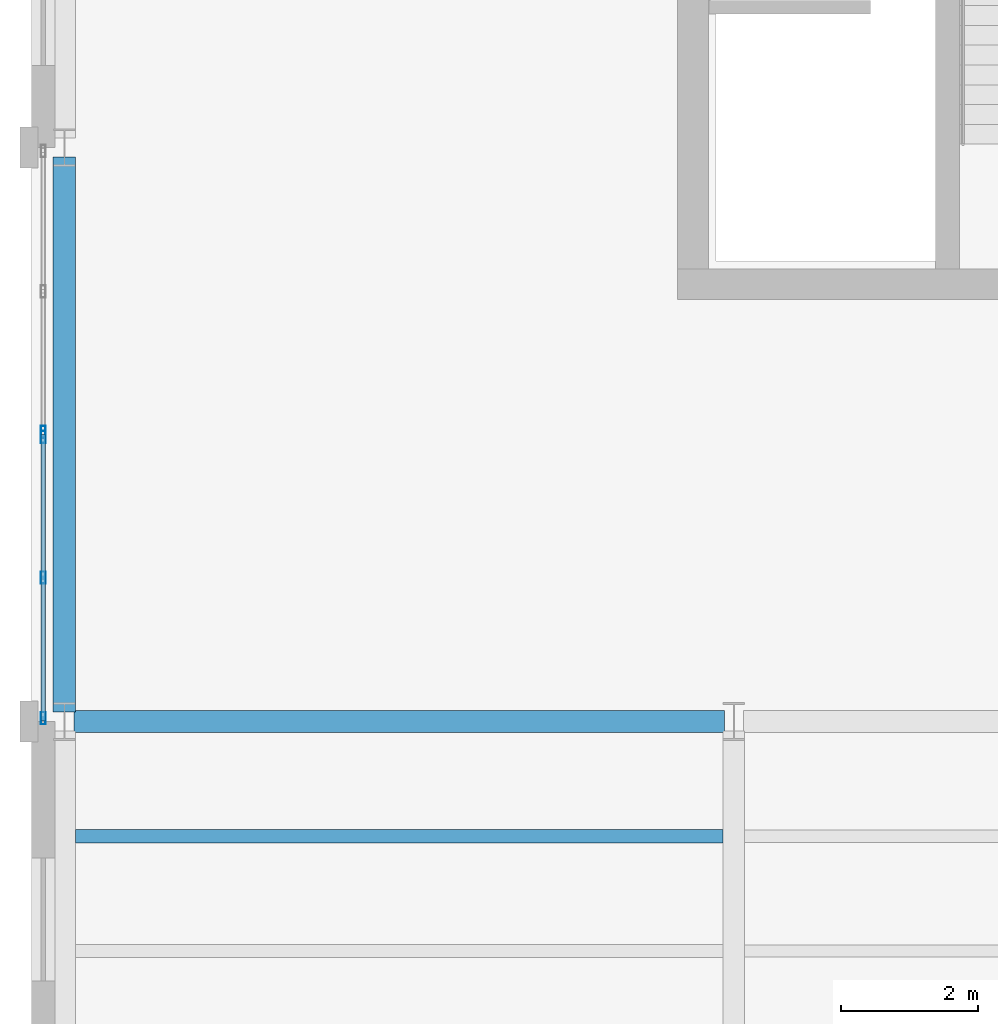
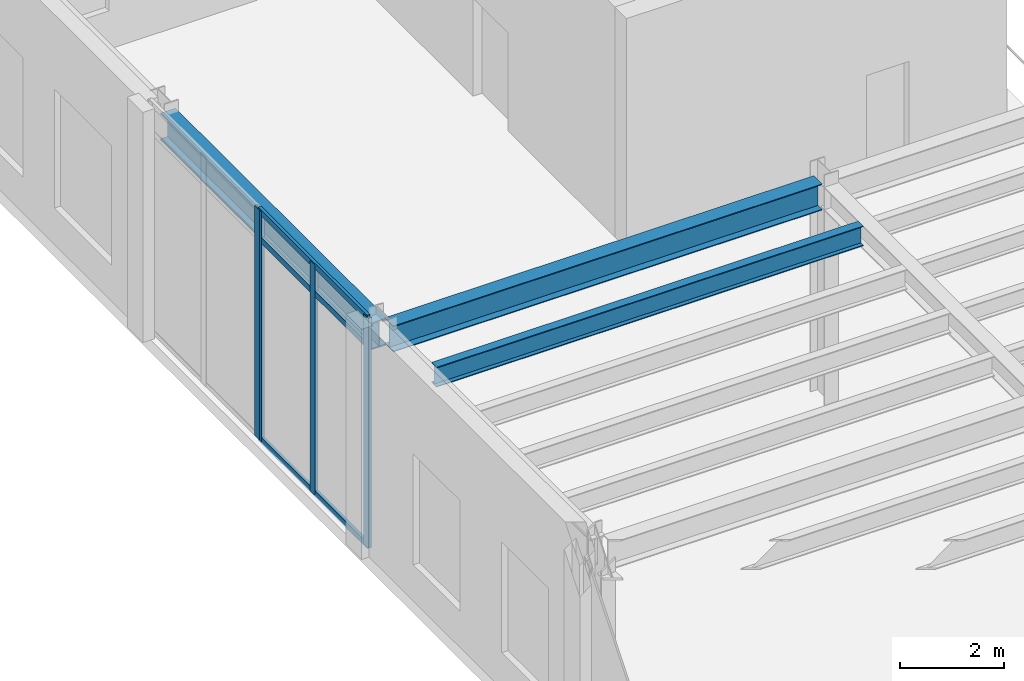
# One storey, part 22 of 98: 7 members, 3 beams, 2 elements without a shape of their own.
"""IFC4 building model written with IfcOpenShell, lengths in metres."""

from ifc_helpers import new_model, si_unit, direction, frame, origin, origin_2d, place, context, subcontext, project, spatial, hollow_rectangle, i_section, extrude, material, layer, layer_set, material_profile, profile_set, type_object, element, aggregate, save


model = new_model("IFC4")

# Units and contexts
model_context = context("Model", 3, precision=1e-05, world=origin(), true_north=direction((0.0, 1.0)))
body_context = subcontext(model_context, "Body", "Model", "MODEL_VIEW")
ifc_project = project(units=[si_unit("LENGTHUNIT", "METRE"), si_unit("AREAUNIT", "SQUARE_METRE"), si_unit("VOLUMEUNIT", "CUBIC_METRE"), si_unit("PLANEANGLEUNIT", "RADIAN"), si_unit("MASSUNIT", "GRAM", prefix="KILO")], contexts=[model_context])

# Site, building, storey
site_placement = place(None, origin())
site = spatial("IfcSite", under=ifc_project, at=site_placement, CompositionType="ELEMENT")
building_placement = place(site_placement, origin())
building = spatial("IfcBuilding", under=site, at=building_placement, Name="Sollismere Congress Hotel", CompositionType="ELEMENT")
storey_placement = place(building_placement, frame((0.0, 0.0, 5.39990234375)))
storey = spatial("IfcBuildingStorey", under=building, at=storey_placement, Name="L01", CompositionType="ELEMENT", Elevation=5.39990234375)

# Beams
ifc_material_1 = material(Name="Steel ASTM A992 Grade 50", Category="steel")
ifc_material_profile_1 = material_profile(ifc_material_1, i_section(OverallWidth=0.324951171875, OverallDepth=0.612060546875, WebThickness=0.0126953125, FlangeThickness=0.01904296875, at=origin_2d()), Name="W24X104")
ifc_profile_set_1 = profile_set([ifc_material_profile_1], Name="Steel ASTM A992 Grade 50")
beam_type_1 = type_object("IfcBeamType", Name="BM-G24", PredefinedType="BEAM", material=ifc_profile_set_1)
beam_1_placement = place(storey_placement, frame((0.139892578125, 50.0, 4.814208984375), z_axis=(1.0, 0.0, 0.0), x_axis=(0.0, 1.0, 0.0)))
element("IfcBeam", 1, at=beam_1_placement, inside=storey, type_object=beam_type_1, Name="Beam BM-L01-1576", PredefinedType="BEAM", context=body_context, shape_type="SweptSolid", body=[
    extrude(i_section(OverallWidth=0.324951171875, OverallDepth=0.612060546875, WebThickness=0.0126953125, FlangeThickness=0.01904296875, at=origin_2d()), origin(), (0.0, 0.0, 1.0), 9.52001953125),
])
ifc_material_profile_2 = material_profile(ifc_material_1, i_section(OverallWidth=0.193115234375, OverallDepth=0.467041015625, WebThickness=0.011474609375, FlangeThickness=0.01904296875, at=origin_2d()), Name="W18X65")
ifc_profile_set_2 = profile_set([ifc_material_profile_2], Name="Steel ASTM A992 Grade 50")
beam_type_2 = type_object("IfcBeamType", Name="BM-J18", PredefinedType="JOIST", material=ifc_profile_set_2)
beam_2_placement = place(storey_placement, frame((0.1650390625, 48.320068359375, 4.88671875), z_axis=(1.0, 0.0, 0.0), x_axis=(0.0, 1.0, 0.0)))
element("IfcBeam", 2, at=beam_2_placement, inside=storey, type_object=beam_type_2, Name="Beam BM-L01-1734", PredefinedType="JOIST", context=body_context, shape_type="SweptSolid", body=[
    extrude(i_section(OverallWidth=0.193115234375, OverallDepth=0.467041015625, WebThickness=0.011474609375, FlangeThickness=0.01904296875, at=origin_2d()), origin(), (0.0, 0.0, 1.0), 9.4775390625),
])
ifc_material_profile_3 = material_profile(ifc_material_1, i_section(OverallWidth=0.330078125, OverallDepth=0.635009765625, WebThickness=0.017822265625, FlangeThickness=0.031005859375, at=origin_2d()), Name="W24X162")
ifc_profile_set_3 = profile_set([ifc_material_profile_3], Name="Steel ASTM A992 Grade 50")
beam_type_3 = type_object("IfcBeamType", Name="BM-SP24E", PredefinedType="SPANDREL", material=ifc_profile_set_3)
beam_3_placement = place(storey_placement, frame((0.0, 50.139892578125, 4.802490234375), z_axis=(0.0, 1.0, 0.0), x_axis=(-1.0, 0.0, 0.0)))
element("IfcBeam", 3, at=beam_3_placement, inside=storey, type_object=beam_type_3, Name="Beam BM-L01-1626", PredefinedType="SPANDREL", context=body_context, shape_type="SweptSolid", body=[
    extrude(i_section(OverallWidth=0.330078125, OverallDepth=0.635009765625, WebThickness=0.017822265625, FlangeThickness=0.031005859375, at=origin_2d()), origin(), (0.0, 0.0, 1.0), 8.1201171875),
])

# Curtain wall, members
ifc_material_2 = material(Name="Anodized Bronze Curtain Wall & Low-E Triple Glazing", Category="glass")
ifc_layer = layer(ifc_material_2, 0.199951171875, Name="Anodized Bronze Curtain Wall & Low-E Triple Glazing")
ifc_layer_set = layer_set([ifc_layer], Name="Anodized Bronze Curtain Wall & Low-E Triple Glazing")
curtain_wall_type = type_object("IfcCurtainWallType", Name="CW-GLZ36", PredefinedType="USERDEFINED", material=ifc_layer_set)
curtain_wall_1_placement = place(storey_placement, origin())
curtain_wall_1 = element("IfcCurtainWall", 4, at=curtain_wall_1_placement, inside=storey, type_object=curtain_wall_type, Name="Unitised curtain wall CW-L01-129", ObjectType="UNITISED CURTAIN WALL", PredefinedType="USERDEFINED")
ifc_material_3 = material(Name="Anodized Aluminum 6063-T6", Category="aluminium")
ifc_material_profile_4 = material_profile(ifc_material_3, hollow_rectangle(XDim=0.074951171875, YDim=0.179931640625, WallThickness=0.0048828125, at=origin_2d()), Name="ALU180X75X5")
ifc_profile_set_4 = profile_set([ifc_material_profile_4], Name="Anodized Aluminum 6063-T6")
member_type_1 = type_object("IfcMemberType", Name="ML-CW180", PredefinedType="MULLION", material=ifc_profile_set_4)
member_1_placement = place(storey_placement, frame((-0.31005859375, 50.048095703125, 0.0), z_axis=(0.0, 0.0, 1.0), x_axis=(-1.0, 0.0, 0.0)))
member_1 = element("IfcMember", 5, at=member_1_placement, type_object=member_type_1, Name="CWL-CW-L01-129-ML01", PredefinedType="MULLION", context=body_context, shape_type="SweptSolid", body=[
    extrude(hollow_rectangle(XDim=0.074951171875, YDim=0.179931640625, WallThickness=0.0048828125, at=origin_2d()), origin(), (0.0, 0.0, 1.0), 5.400146484375),
])
member_2_placement = place(storey_placement, frame((-0.31005859375, 52.10498046875, 0.0), z_axis=(0.0, 0.0, 1.0), x_axis=(-1.0, 0.0, 0.0)))
member_2 = element("IfcMember", 6, at=member_2_placement, type_object=member_type_1, Name="CWL-CW-L01-129-ML02", PredefinedType="MULLION", context=body_context, shape_type="SweptSolid", body=[
    extrude(hollow_rectangle(XDim=0.074951171875, YDim=0.179931640625, WallThickness=0.0048828125, at=origin_2d()), origin(), (0.0, 0.0, 1.0), 5.400146484375),
])
member_3_placement = place(storey_placement, frame((-0.31005859375, 54.162109375, 0.0), z_axis=(0.0, 0.0, 1.0), x_axis=(-1.0, 0.0, 0.0)))
member_3 = element("IfcMember", 7, at=member_3_placement, type_object=member_type_1, Name="CWL-CW-L01-129-ML03", PredefinedType="MULLION", context=body_context, shape_type="SweptSolid", body=[
    extrude(hollow_rectangle(XDim=0.074951171875, YDim=0.179931640625, WallThickness=0.0048828125, at=origin_2d()), origin(), (0.0, 0.0, 1.0), 5.400146484375),
])

# Curtain wall, member
curtain_wall_2_placement = place(storey_placement, origin())
curtain_wall_2 = element("IfcCurtainWall", 8, at=curtain_wall_2_placement, inside=storey, type_object=curtain_wall_type, Name="Unitised curtain wall CW-L01-130", ObjectType="UNITISED CURTAIN WALL", PredefinedType="USERDEFINED")
member_4_placement = place(storey_placement, frame((-0.31005859375, 54.238037109375, 0.0), z_axis=(0.0, 0.0, 1.0), x_axis=(-1.0, 0.0, 0.0)))
member_4 = element("IfcMember", 9, at=member_4_placement, type_object=member_type_1, Name="CWL-CW-L01-130-ML01", PredefinedType="MULLION", context=body_context, shape_type="SweptSolid", body=[
    extrude(hollow_rectangle(XDim=0.074951171875, YDim=0.179931640625, WallThickness=0.0048828125, at=origin_2d()), origin(), (0.0, 0.0, 1.0), 5.400146484375),
])
aggregate(curtain_wall_2, [member_4])

# Member
ifc_material_profile_5 = material_profile(ifc_material_3, hollow_rectangle(XDim=0.06494140625, YDim=0.139892578125, WallThickness=0.00390625, at=origin_2d()), Name="ALU140X65X4")
ifc_profile_set_5 = profile_set([ifc_material_profile_5], Name="Anodized Aluminum 6063-T6")
member_type_2 = type_object("IfcMemberType", Name="TR-CW150", PredefinedType="MEMBER", material=ifc_profile_set_5)
member_5_placement = place(storey_placement, frame((-0.31005859375, 50.010009765625, 0.03271484375), z_axis=(0.0, 1.0, 0.0), x_axis=(-1.0, 0.0, 0.0)))
member_5 = element("IfcMember", 10, at=member_5_placement, type_object=member_type_2, Name="CWL-CW-L01-129-TR1", PredefinedType="MEMBER", context=body_context, shape_type="SweptSolid", body=[
    extrude(hollow_rectangle(XDim=0.06494140625, YDim=0.139892578125, WallThickness=0.00390625, at=origin_2d()), origin(), (0.0, 0.0, 1.0), 4.18994140625),
])

member_6_placement = place(storey_placement, frame((-0.31005859375, 50.010009765625, 4.72021484375), z_axis=(0.0, 1.0, 0.0), x_axis=(-1.0, 0.0, 0.0)))
member_6 = element("IfcMember", 11, at=member_6_placement, type_object=member_type_2, Name="CWL-CW-L01-129-TR2", PredefinedType="MEMBER", context=body_context, shape_type="SweptSolid", body=[
    extrude(hollow_rectangle(XDim=0.06494140625, YDim=0.139892578125, WallThickness=0.00390625, at=origin_2d()), origin(), (0.0, 0.0, 1.0), 4.18994140625),
])

member_7_placement = place(storey_placement, frame((-0.31005859375, 50.010009765625, 5.36767578125), z_axis=(0.0, 1.0, 0.0), x_axis=(-1.0, 0.0, 0.0)))
member_7 = element("IfcMember", 12, at=member_7_placement, type_object=member_type_2, Name="CWL-CW-L01-129-TR3", PredefinedType="MEMBER", context=body_context, shape_type="SweptSolid", body=[
    extrude(hollow_rectangle(XDim=0.06494140625, YDim=0.139892578125, WallThickness=0.00390625, at=origin_2d()), origin(), (0.0, 0.0, 1.0), 4.18994140625),
])

aggregate(curtain_wall_1, [member_1, member_2, member_3, member_5, member_6, member_7])

save(model, "model.ifc")
